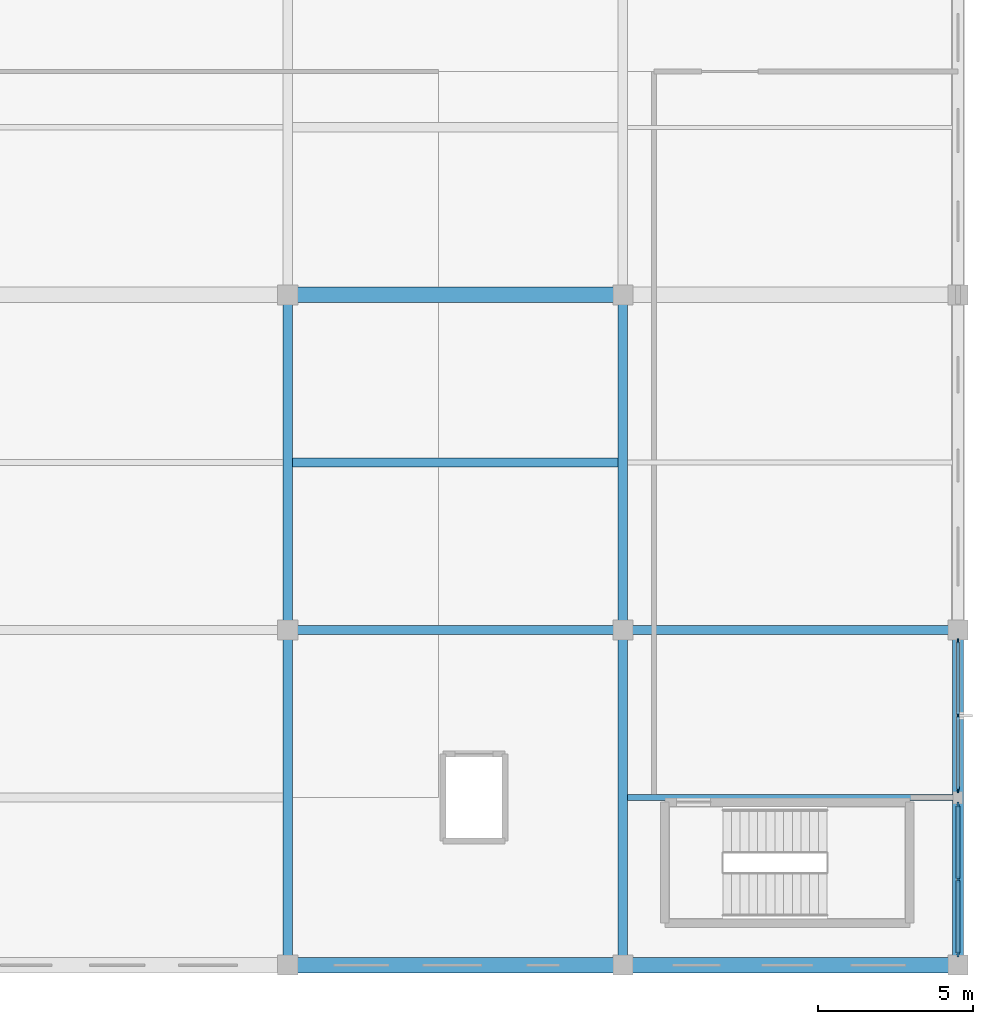
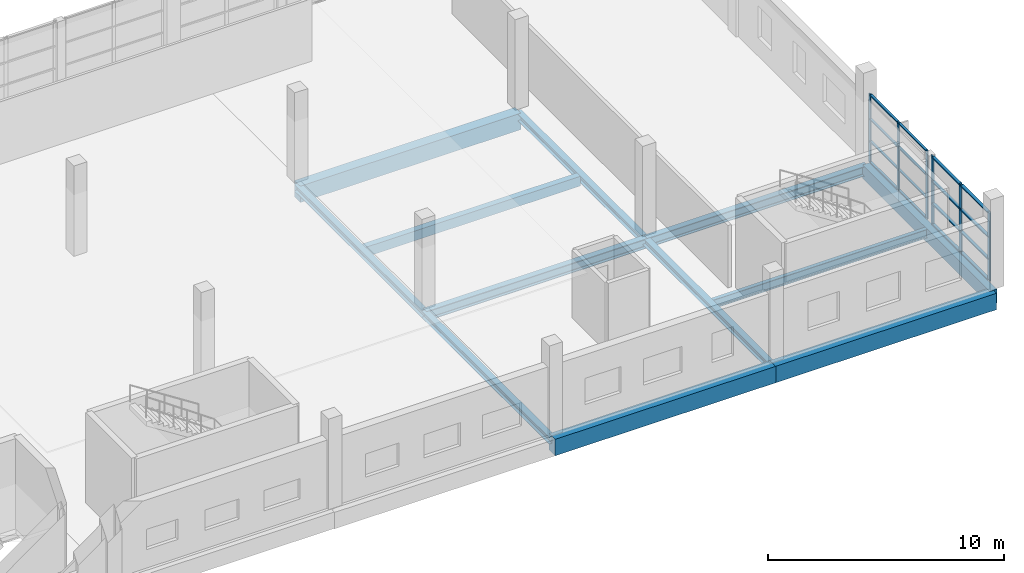
# One storey, part 65 of 142: 22 members, 12 beams, 2 elements without a shape of their own.
"""IFC4 building model written with IfcOpenShell, lengths in metres."""

from ifc_helpers import new_model, si_unit, direction, frame, origin, origin_2d, place, context, subcontext, project, spatial, rectangle, i_section, extrude, material, material_profile, profile_set, type_object, element, aggregate, save


model = new_model("IFC4")

# Units and contexts
model_context = context("Model", 3, precision=1e-05, world=origin(), true_north=direction((0.0, 1.0)))
body_context = subcontext(model_context, "Body", "Model", "MODEL_VIEW")
ifc_project = project(units=[si_unit("LENGTHUNIT", "METRE"), si_unit("AREAUNIT", "SQUARE_METRE"), si_unit("VOLUMEUNIT", "CUBIC_METRE"), si_unit("PLANEANGLEUNIT", "RADIAN"), si_unit("MASSUNIT", "GRAM", prefix="KILO")], contexts=[model_context])

# Site, building, storey
site_placement = place(None, origin())
site = spatial("IfcSite", under=ifc_project, at=site_placement, CompositionType="ELEMENT")
building_placement = place(site_placement, origin())
building = spatial("IfcBuilding", under=site, at=building_placement, Name="Zwinboog Wholesale Market", CompositionType="ELEMENT")
storey_placement = place(building_placement, frame((0.0, 0.0, 5.39990234375)))
storey = spatial("IfcBuildingStorey", under=building, at=storey_placement, Name="L01", CompositionType="ELEMENT", Elevation=5.39990234375)

# Beams
ifc_material_1 = material(Name="Precast concrete C45/55", Category="concrete")
ifc_material_profile_1 = material_profile(ifc_material_1, rectangle(XDim=0.5, YDim=0.85009765625, at=origin_2d()), Name="PC 500x850")
ifc_profile_set_1 = profile_set([ifc_material_profile_1], Name="Precast concrete C45/55")
beam_type_1 = type_object("IfcBeamType", Name="BT-03", PredefinedType="BEAM", material=ifc_profile_set_1)
for number, where, z_axis, x_axis, name in (
    (1, (194.39990234375, 0.0, -0.72998046875), (1.0, 0.0, 0.0), (0.0, 1.0, 0.0), "BG-03 (BMG-L01-1944-0000-0423)"),
    (2, (205.199951171875, 0.0, -0.72998046875), (1.0, 0.0, 0.0), (0.0, 1.0, 0.0), "BG-03 (BMG-L01-2052-0000-0424)"),
    (3, (194.39990234375, 21.60009765625, -0.72998046875), (1.0, 0.0, 0.0), (0.0, 1.0, 0.0), "BG-03 (BMG-L01-1944-0216-0447)"),
):
    element("IfcBeam", number, at=place(storey_placement, frame(where, z_axis=z_axis, x_axis=x_axis)), inside=storey, type_object=beam_type_1, Name=name, PredefinedType="BEAM", context=body_context, shape_type="SweptSolid", body=[
        extrude(rectangle(XDim=0.5, YDim=0.85009765625, at=origin_2d()), origin(), (0.0, 0.0, 1.0), 10.800048828125),
    ])
ifc_material_profile_2 = material_profile(ifc_material_1, rectangle(XDim=0.35009765625, YDim=0.699951171875, at=origin_2d()), Name="PC 350x700")
ifc_profile_set_2 = profile_set([ifc_material_profile_2], Name="Precast concrete C45/55")
beam_type_2 = type_object("IfcBeamType", Name="BT-08", PredefinedType="SPANDREL", material=ifc_profile_set_2)
beam_1_placement = place(storey_placement, frame((216.0, 0.0, -0.65478515625), z_axis=(0.0, 1.0, 0.0), x_axis=(-1.0, 0.0, 0.0)))
element("IfcBeam", 4, at=beam_1_placement, inside=storey, type_object=beam_type_2, Name="SP-01 (BMG-L01-2160-0000-0772)", PredefinedType="SPANDREL", context=body_context, shape_type="SweptSolid", body=[
    extrude(rectangle(XDim=0.35009765625, YDim=0.699951171875, at=origin_2d()), origin(), (0.0, 0.0, 1.0), 10.800048828125),
])
ifc_material_profile_3 = material_profile(ifc_material_1, rectangle(XDim=0.300048828125, YDim=0.5, at=origin_2d()), Name="PC 300x500")
ifc_profile_set_3 = profile_set([ifc_material_profile_3], Name="Precast concrete C45/55")
beam_type_3 = type_object("IfcBeamType", Name="BT-10", PredefinedType="JOIST", material=ifc_profile_set_3)
beam_2_placement = place(storey_placement, frame((194.550048828125, 16.199951171875, -0.554931640625), z_axis=(1.0, 0.0, 0.0), x_axis=(0.0, 1.0, 0.0)))
element("IfcBeam", 5, at=beam_2_placement, inside=storey, type_object=beam_type_3, Name="BJ-01 (BMG-L01-1946-0162-0898)", PredefinedType="JOIST", context=body_context, shape_type="SweptSolid", body=[
    extrude(rectangle(XDim=0.300048828125, YDim=0.5, at=origin_2d()), origin(), (0.0, 0.0, 1.0), 10.5),
])
ifc_material_2 = material(Name="Steel S355", Category="steel")
ifc_material_profile_4 = material_profile(ifc_material_2, i_section(OverallWidth=0.300048828125, OverallDepth=0.5, WebThickness=0.014404296875, FlangeThickness=0.028076171875, FilletRadius=0.027099609375, at=origin_2d()), Name="HEB 500")
ifc_profile_set_4 = profile_set([ifc_material_profile_4], Name="Steel S355")
beam_type_4 = type_object("IfcBeamType", Name="BT-14", PredefinedType="BEAM", material=ifc_profile_set_4)
for number, where, z_axis, x_axis, name in (
    (6, (194.39990234375, 10.800048828125, -0.554931640625), (1.0, 0.0, 0.0), (0.0, 1.0, 0.0), "SB-01 (BMG-L01-1944-0108-0435)"),
    (7, (205.199951171875, 10.800048828125, -0.554931640625), (1.0, 0.0, 0.0), (0.0, 1.0, 0.0), "SB-01 (BMG-L01-2052-0108-0436)"),
):
    element("IfcBeam", number, at=place(storey_placement, frame(where, z_axis=z_axis, x_axis=x_axis)), inside=storey, type_object=beam_type_4, Name=name, PredefinedType="BEAM", context=body_context, shape_type="SweptSolid", body=[
        extrude(i_section(OverallWidth=0.300048828125, OverallDepth=0.5, WebThickness=0.014404296875, FlangeThickness=0.028076171875, FilletRadius=0.027099609375, at=origin_2d()), origin(), (0.0, 0.0, 1.0), 10.800048828125),
    ])
ifc_material_profile_5 = material_profile(ifc_material_2, i_section(OverallWidth=0.300048828125, OverallDepth=0.35009765625, WebThickness=0.010009765625, FlangeThickness=0.017578125, FilletRadius=0.027099609375, at=origin_2d()), Name="HEA 360")
ifc_profile_set_5 = profile_set([ifc_material_profile_5], Name="Steel S355")
beam_type_5 = type_object("IfcBeamType", Name="BT-17", PredefinedType="BEAM", material=ifc_profile_set_5)
for number, where, z_axis, x_axis, name in (
    (8, (194.39990234375, 0.0, -0.47998046875), (0.0, 1.0, 0.0), (-1.0, 0.0, 0.0), "SB-04 (BMG-L01-1944-0000-0762)"),
    (9, (194.39990234375, 10.800048828125, -0.47998046875), (0.0, 1.0, 0.0), (-1.0, 0.0, 0.0), "SB-04 (BMG-L01-1944-0108-0763)"),
    (10, (205.199951171875, 0.0, -0.47998046875), (0.0, 1.0, 0.0), (-1.0, 0.0, 0.0), "SB-04 (BMG-L01-2052-0000-0767)"),
    (11, (205.199951171875, 10.800048828125, -0.47998046875), (0.0, 1.0, 0.0), (-1.0, 0.0, 0.0), "SB-04 (BMG-L01-2052-0108-0768)"),
):
    element("IfcBeam", number, at=place(storey_placement, frame(where, z_axis=z_axis, x_axis=x_axis)), inside=storey, type_object=beam_type_5, Name=name, PredefinedType="BEAM", context=body_context, shape_type="SweptSolid", body=[
        extrude(i_section(OverallWidth=0.300048828125, OverallDepth=0.35009765625, WebThickness=0.010009765625, FlangeThickness=0.017578125, FilletRadius=0.027099609375, at=origin_2d()), origin(), (0.0, 0.0, 1.0), 10.800048828125),
    ])
ifc_material_profile_6 = material_profile(ifc_material_2, i_section(OverallWidth=0.18994140625, OverallDepth=0.449951171875, WebThickness=0.009521484375, FlangeThickness=0.0146484375, FilletRadius=0.02099609375, at=origin_2d()), Name="IPE 450")
ifc_profile_set_6 = profile_set([ifc_material_profile_6], Name="Steel S355")
beam_type_6 = type_object("IfcBeamType", Name="BT-19", PredefinedType="JOIST", material=ifc_profile_set_6)
beam_3_placement = place(storey_placement, frame((205.35009765625, 5.39990234375, -0.52978515625), z_axis=(1.0, 0.0, 0.0), x_axis=(0.0, 1.0, 0.0)))
element("IfcBeam", 12, at=beam_3_placement, inside=storey, type_object=beam_type_6, Name="SJ-02 (BMG-L01-2054-0054-0900)", PredefinedType="JOIST", context=body_context, shape_type="SweptSolid", body=[
    extrude(i_section(OverallWidth=0.18994140625, OverallDepth=0.449951171875, WebThickness=0.009521484375, FlangeThickness=0.0146484375, FilletRadius=0.02099609375, at=origin_2d()), origin(), (0.0, 0.0, 1.0), 10.474853515625),
])

# Curtain wall, members
ifc_material_3 = material(Name="Aluminium thermally broken curtain wall", Category="aluminium")
curtain_wall_type_1 = type_object("IfcCurtainWallType", Name="CWT-CAFE-22", PredefinedType="USERDEFINED", material=ifc_material_3)
curtain_wall_1_placement = place(storey_placement, origin())
curtain_wall_1 = element("IfcCurtainWall", 13, at=curtain_wall_1_placement, inside=storey, type_object=curtain_wall_type_1, Name="CW-05 (CW-L01-149)", ObjectType="STOREFRONT_GLAZING", PredefinedType="USERDEFINED")
ifc_material_4 = material(Name="Aluminium EN AW-6060", Category="aluminium")
ifc_material_profile_7 = material_profile(ifc_material_4, rectangle(XDim=0.06494140625, YDim=0.179931640625, at=origin_2d()), Name="AL 65x180")
ifc_profile_set_7 = profile_set([ifc_material_profile_7], Name="Aluminium EN AW-6060")
member_type_1 = type_object("IfcMemberType", Name="CWM-65x180", PredefinedType="MULLION", material=ifc_profile_set_7)
member_1_placement = place(storey_placement, frame((216.0, 0.3525390625, 0.0), z_axis=(0.0, 0.0, 1.0), x_axis=(-1.0, 0.0, 0.0)))
member_1 = element("IfcMember", 14, at=member_1_placement, type_object=member_type_1, Name="CW-05 mullion 1", PredefinedType="MULLION", context=body_context, shape_type="SweptSolid", body=[
    extrude(rectangle(XDim=0.06494140625, YDim=0.179931640625, at=origin_2d()), origin(), (0.0, 0.0, 1.0), 3.530029296875),
])
member_2_placement = place(storey_placement, frame((216.0, 2.760009765625, 0.0), z_axis=(0.0, 0.0, 1.0), x_axis=(-1.0, 0.0, 0.0)))
member_2 = element("IfcMember", 15, at=member_2_placement, type_object=member_type_1, Name="CW-05 mullion 2", PredefinedType="MULLION", context=body_context, shape_type="SweptSolid", body=[
    extrude(rectangle(XDim=0.06494140625, YDim=0.179931640625, at=origin_2d()), origin(), (0.0, 0.0, 1.0), 3.530029296875),
])
member_3_placement = place(storey_placement, frame((216.0, 5.16748046875, 0.0), z_axis=(0.0, 0.0, 1.0), x_axis=(-1.0, 0.0, 0.0)))
member_3 = element("IfcMember", 16, at=member_3_placement, type_object=member_type_1, Name="CW-05 mullion 3", PredefinedType="MULLION", context=body_context, shape_type="SweptSolid", body=[
    extrude(rectangle(XDim=0.06494140625, YDim=0.179931640625, at=origin_2d()), origin(), (0.0, 0.0, 1.0), 3.530029296875),
])

curtain_wall_type_2 = type_object("IfcCurtainWallType", Name="CWT-OFF-15", PredefinedType="USERDEFINED", material=ifc_material_3)
curtain_wall_2_placement = place(storey_placement, origin())
curtain_wall_2 = element("IfcCurtainWall", 17, at=curtain_wall_2_placement, inside=storey, type_object=curtain_wall_type_2, Name="CW-06 (CW-L01-150)", ObjectType="UNITIZED_CURTAIN_WALL", PredefinedType="USERDEFINED")
ifc_material_profile_8 = material_profile(ifc_material_4, rectangle(XDim=0.06005859375, YDim=0.14990234375, at=origin_2d()), Name="AL 60x150")
ifc_profile_set_8 = profile_set([ifc_material_profile_8], Name="Aluminium EN AW-6060")
member_type_2 = type_object("IfcMemberType", Name="CWM-60x150", PredefinedType="MULLION", material=ifc_profile_set_8)
member_4_placement = place(storey_placement, frame((216.0, 5.6298828125, 0.0), z_axis=(0.0, 0.0, 1.0), x_axis=(-1.0, 0.0, 0.0)))
member_4 = element("IfcMember", 18, at=member_4_placement, type_object=member_type_2, Name="CW-06 mullion 1", PredefinedType="MULLION", context=body_context, shape_type="SweptSolid", body=[
    extrude(rectangle(XDim=0.06005859375, YDim=0.14990234375, at=origin_2d()), origin(), (0.0, 0.0, 1.0), 3.530029296875),
])
member_5_placement = place(storey_placement, frame((216.0, 8.0400390625, 0.0), z_axis=(0.0, 0.0, 1.0), x_axis=(-1.0, 0.0, 0.0)))
member_5 = element("IfcMember", 19, at=member_5_placement, type_object=member_type_2, Name="CW-06 mullion 2", PredefinedType="MULLION", context=body_context, shape_type="SweptSolid", body=[
    extrude(rectangle(XDim=0.06005859375, YDim=0.14990234375, at=origin_2d()), origin(), (0.0, 0.0, 1.0), 3.530029296875),
])
member_6_placement = place(storey_placement, frame((216.0, 10.449951171875, 0.0), z_axis=(0.0, 0.0, 1.0), x_axis=(-1.0, 0.0, 0.0)))
member_6 = element("IfcMember", 20, at=member_6_placement, type_object=member_type_2, Name="CW-06 mullion 3", PredefinedType="MULLION", context=body_context, shape_type="SweptSolid", body=[
    extrude(rectangle(XDim=0.06005859375, YDim=0.14990234375, at=origin_2d()), origin(), (0.0, 0.0, 1.0), 3.530029296875),
])

# Member
ifc_material_profile_9 = material_profile(ifc_material_4, rectangle(XDim=0.139892578125, YDim=0.06494140625, at=origin_2d()), Name="AL 65x140")
ifc_profile_set_9 = profile_set([ifc_material_profile_9], Name="Aluminium EN AW-6060")
member_type_3 = type_object("IfcMemberType", Name="CWT-65x140", PredefinedType="USERDEFINED", material=ifc_profile_set_9)
member_7_placement = place(storey_placement, frame((216.0, 0.385009765625, 0.03271484375), z_axis=(0.0, 1.0, 0.0), x_axis=(-1.0, 0.0, 0.0)))
member_7 = element("IfcMember", 21, at=member_7_placement, type_object=member_type_3, Name="CW-05 transom 1.1", ObjectType="TRANSOM", PredefinedType="USERDEFINED", context=body_context, shape_type="SweptSolid", body=[
    extrude(rectangle(XDim=0.139892578125, YDim=0.06494140625, at=origin_2d()), origin(), (0.0, 0.0, 1.0), 2.342529296875),
])

member_8_placement = place(storey_placement, frame((216.0, 0.385009765625, 1.10009765625), z_axis=(0.0, 1.0, 0.0), x_axis=(-1.0, 0.0, 0.0)))
member_8 = element("IfcMember", 22, at=member_8_placement, type_object=member_type_3, Name="CW-05 transom 1.2", ObjectType="TRANSOM", PredefinedType="USERDEFINED", context=body_context, shape_type="SweptSolid", body=[
    extrude(rectangle(XDim=0.139892578125, YDim=0.06494140625, at=origin_2d()), origin(), (0.0, 0.0, 1.0), 2.342529296875),
])

member_9_placement = place(storey_placement, frame((216.0, 0.385009765625, 2.25), z_axis=(0.0, 1.0, 0.0), x_axis=(-1.0, 0.0, 0.0)))
member_9 = element("IfcMember", 23, at=member_9_placement, type_object=member_type_3, Name="CW-05 transom 1.3", ObjectType="TRANSOM", PredefinedType="USERDEFINED", context=body_context, shape_type="SweptSolid", body=[
    extrude(rectangle(XDim=0.139892578125, YDim=0.06494140625, at=origin_2d()), origin(), (0.0, 0.0, 1.0), 2.342529296875),
])

member_10_placement = place(storey_placement, frame((216.0, 0.385009765625, 3.49755859375), z_axis=(0.0, 1.0, 0.0), x_axis=(-1.0, 0.0, 0.0)))
member_10 = element("IfcMember", 24, at=member_10_placement, type_object=member_type_3, Name="CW-05 transom 1.4", ObjectType="TRANSOM", PredefinedType="USERDEFINED", context=body_context, shape_type="SweptSolid", body=[
    extrude(rectangle(XDim=0.139892578125, YDim=0.06494140625, at=origin_2d()), origin(), (0.0, 0.0, 1.0), 2.342529296875),
])

member_11_placement = place(storey_placement, frame((216.0, 2.79248046875, 0.03271484375), z_axis=(0.0, 1.0, 0.0), x_axis=(-1.0, 0.0, 0.0)))
member_11 = element("IfcMember", 25, at=member_11_placement, type_object=member_type_3, Name="CW-05 transom 2.1", ObjectType="TRANSOM", PredefinedType="USERDEFINED", context=body_context, shape_type="SweptSolid", body=[
    extrude(rectangle(XDim=0.139892578125, YDim=0.06494140625, at=origin_2d()), origin(), (0.0, 0.0, 1.0), 2.342529296875),
])

member_12_placement = place(storey_placement, frame((216.0, 2.79248046875, 1.10009765625), z_axis=(0.0, 1.0, 0.0), x_axis=(-1.0, 0.0, 0.0)))
member_12 = element("IfcMember", 26, at=member_12_placement, type_object=member_type_3, Name="CW-05 transom 2.2", ObjectType="TRANSOM", PredefinedType="USERDEFINED", context=body_context, shape_type="SweptSolid", body=[
    extrude(rectangle(XDim=0.139892578125, YDim=0.06494140625, at=origin_2d()), origin(), (0.0, 0.0, 1.0), 2.342529296875),
])

member_13_placement = place(storey_placement, frame((216.0, 2.79248046875, 2.25), z_axis=(0.0, 1.0, 0.0), x_axis=(-1.0, 0.0, 0.0)))
member_13 = element("IfcMember", 27, at=member_13_placement, type_object=member_type_3, Name="CW-05 transom 2.3", ObjectType="TRANSOM", PredefinedType="USERDEFINED", context=body_context, shape_type="SweptSolid", body=[
    extrude(rectangle(XDim=0.139892578125, YDim=0.06494140625, at=origin_2d()), origin(), (0.0, 0.0, 1.0), 2.342529296875),
])

member_14_placement = place(storey_placement, frame((216.0, 2.79248046875, 3.49755859375), z_axis=(0.0, 1.0, 0.0), x_axis=(-1.0, 0.0, 0.0)))
member_14 = element("IfcMember", 28, at=member_14_placement, type_object=member_type_3, Name="CW-05 transom 2.4", ObjectType="TRANSOM", PredefinedType="USERDEFINED", context=body_context, shape_type="SweptSolid", body=[
    extrude(rectangle(XDim=0.139892578125, YDim=0.06494140625, at=origin_2d()), origin(), (0.0, 0.0, 1.0), 2.342529296875),
])

aggregate(curtain_wall_1, [member_1, member_2, member_3, member_7, member_8, member_9, member_10, member_11, member_12, member_13, member_14])

ifc_material_profile_10 = material_profile(ifc_material_4, rectangle(XDim=0.110107421875, YDim=0.06005859375, at=origin_2d()), Name="AL 60x110")
ifc_profile_set_10 = profile_set([ifc_material_profile_10], Name="Aluminium EN AW-6060")
member_type_4 = type_object("IfcMemberType", Name="CWT-60x110", PredefinedType="USERDEFINED", material=ifc_profile_set_10)
member_15_placement = place(storey_placement, frame((216.0, 5.659912109375, 0.030029296875), z_axis=(0.0, 1.0, 0.0), x_axis=(-1.0, 0.0, 0.0)))
member_15 = element("IfcMember", 29, at=member_15_placement, type_object=member_type_4, Name="CW-06 transom 1.1", ObjectType="TRANSOM", PredefinedType="USERDEFINED", context=body_context, shape_type="SweptSolid", body=[
    extrude(rectangle(XDim=0.110107421875, YDim=0.06005859375, at=origin_2d()), origin(), (0.0, 0.0, 1.0), 2.35009765625),
])

member_16_placement = place(storey_placement, frame((216.0, 5.659912109375, 1.10009765625), z_axis=(0.0, 1.0, 0.0), x_axis=(-1.0, 0.0, 0.0)))
member_16 = element("IfcMember", 30, at=member_16_placement, type_object=member_type_4, Name="CW-06 transom 1.2", ObjectType="TRANSOM", PredefinedType="USERDEFINED", context=body_context, shape_type="SweptSolid", body=[
    extrude(rectangle(XDim=0.110107421875, YDim=0.06005859375, at=origin_2d()), origin(), (0.0, 0.0, 1.0), 2.35009765625),
])

member_17_placement = place(storey_placement, frame((216.0, 5.659912109375, 2.25), z_axis=(0.0, 1.0, 0.0), x_axis=(-1.0, 0.0, 0.0)))
member_17 = element("IfcMember", 31, at=member_17_placement, type_object=member_type_4, Name="CW-06 transom 1.3", ObjectType="TRANSOM", PredefinedType="USERDEFINED", context=body_context, shape_type="SweptSolid", body=[
    extrude(rectangle(XDim=0.110107421875, YDim=0.06005859375, at=origin_2d()), origin(), (0.0, 0.0, 1.0), 2.35009765625),
])

member_18_placement = place(storey_placement, frame((216.0, 5.659912109375, 3.5), z_axis=(0.0, 1.0, 0.0), x_axis=(-1.0, 0.0, 0.0)))
member_18 = element("IfcMember", 32, at=member_18_placement, type_object=member_type_4, Name="CW-06 transom 1.4", ObjectType="TRANSOM", PredefinedType="USERDEFINED", context=body_context, shape_type="SweptSolid", body=[
    extrude(rectangle(XDim=0.110107421875, YDim=0.06005859375, at=origin_2d()), origin(), (0.0, 0.0, 1.0), 2.35009765625),
])

member_19_placement = place(storey_placement, frame((216.0, 8.070068359375, 0.030029296875), z_axis=(0.0, 1.0, 0.0), x_axis=(-1.0, 0.0, 0.0)))
member_19 = element("IfcMember", 33, at=member_19_placement, type_object=member_type_4, Name="CW-06 transom 2.1", ObjectType="TRANSOM", PredefinedType="USERDEFINED", context=body_context, shape_type="SweptSolid", body=[
    extrude(rectangle(XDim=0.110107421875, YDim=0.06005859375, at=origin_2d()), origin(), (0.0, 0.0, 1.0), 2.349853515625),
])

member_20_placement = place(storey_placement, frame((216.0, 8.070068359375, 1.10009765625), z_axis=(0.0, 1.0, 0.0), x_axis=(-1.0, 0.0, 0.0)))
member_20 = element("IfcMember", 34, at=member_20_placement, type_object=member_type_4, Name="CW-06 transom 2.2", ObjectType="TRANSOM", PredefinedType="USERDEFINED", context=body_context, shape_type="SweptSolid", body=[
    extrude(rectangle(XDim=0.110107421875, YDim=0.06005859375, at=origin_2d()), origin(), (0.0, 0.0, 1.0), 2.349853515625),
])

member_21_placement = place(storey_placement, frame((216.0, 8.070068359375, 2.25), z_axis=(0.0, 1.0, 0.0), x_axis=(-1.0, 0.0, 0.0)))
member_21 = element("IfcMember", 35, at=member_21_placement, type_object=member_type_4, Name="CW-06 transom 2.3", ObjectType="TRANSOM", PredefinedType="USERDEFINED", context=body_context, shape_type="SweptSolid", body=[
    extrude(rectangle(XDim=0.110107421875, YDim=0.06005859375, at=origin_2d()), origin(), (0.0, 0.0, 1.0), 2.349853515625),
])

member_22_placement = place(storey_placement, frame((216.0, 8.070068359375, 3.5), z_axis=(0.0, 1.0, 0.0), x_axis=(-1.0, 0.0, 0.0)))
member_22 = element("IfcMember", 36, at=member_22_placement, type_object=member_type_4, Name="CW-06 transom 2.4", ObjectType="TRANSOM", PredefinedType="USERDEFINED", context=body_context, shape_type="SweptSolid", body=[
    extrude(rectangle(XDim=0.110107421875, YDim=0.06005859375, at=origin_2d()), origin(), (0.0, 0.0, 1.0), 2.349853515625),
])

aggregate(curtain_wall_2, [member_4, member_5, member_6, member_15, member_16, member_17, member_18, member_19, member_20, member_21, member_22])

save(model, "model.ifc")
